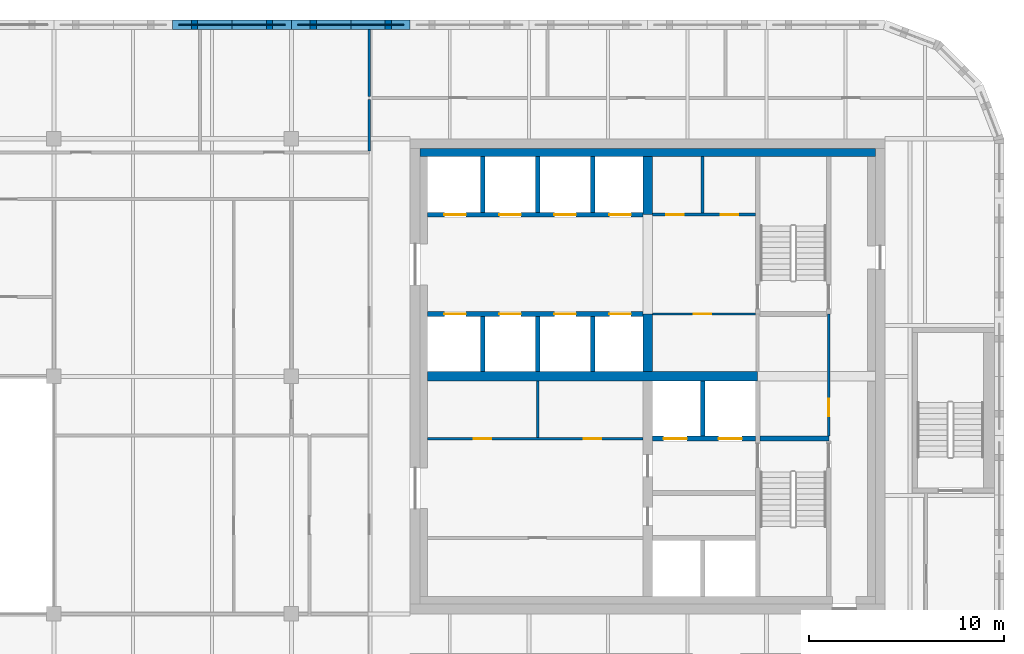
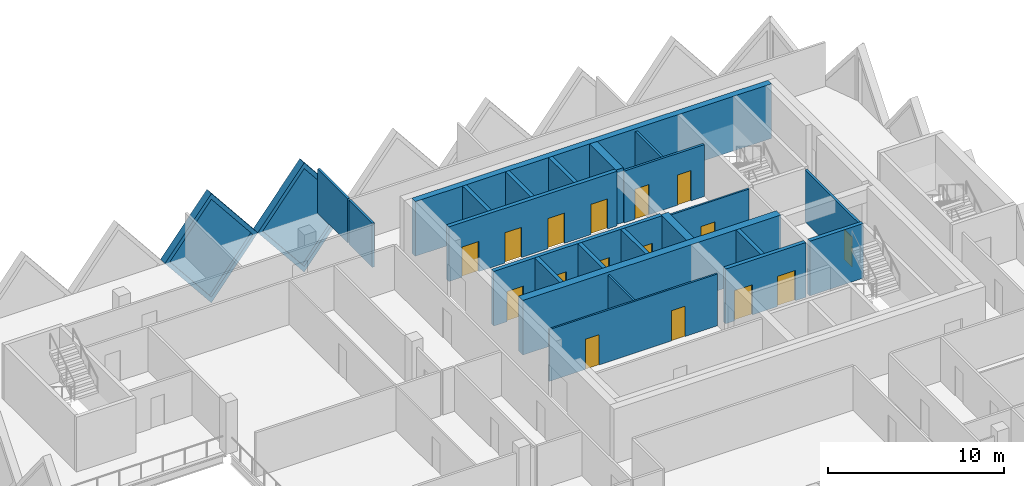
# One storey, part 8 of 11: 25 walls, 16 doors, 2 plates, 18 openings.
"""IFC4 building model written with IfcOpenShell, lengths in metres."""

from ifc_helpers import new_model, si_unit, direction, frame, frame_2d, origin, place, context, subcontext, project, spatial, polyline, rectangle, outline, extrude, faceted_brep, source, transform, mapped, material, layer, layer_set, type_object, element, fill, save


model = new_model("IFC4")

# Units and contexts
model_context = context("Model", 3, precision=1e-05, world=origin(), true_north=direction((0.0, 1.0)))
body_context = subcontext(model_context, "Body", "Model", "MODEL_VIEW")
ifc_project = project(units=[si_unit("LENGTHUNIT", "METRE"), si_unit("AREAUNIT", "SQUARE_METRE"), si_unit("VOLUMEUNIT", "CUBIC_METRE"), si_unit("PLANEANGLEUNIT", "RADIAN"), si_unit("MASSUNIT", "GRAM", prefix="KILO")], contexts=[model_context])

# Site, building, storey
site_placement = place(None, origin())
site = spatial("IfcSite", under=ifc_project, at=site_placement, CompositionType="ELEMENT")
building_placement = place(site_placement, origin())
building = spatial("IfcBuilding", under=site, at=building_placement, Name="Tessera Gate Towers", CompositionType="ELEMENT")
storey_placement = place(building_placement, frame((0.0, 0.0, 201.699951171875)))
storey = spatial("IfcBuildingStorey", under=building, at=storey_placement, Name="L50", CompositionType="ELEMENT", Elevation=201.699951171875)

# Wall, openings, doors
ifc_material_1 = material(Name="Concrete C40/50", Category="concrete")
ifc_layer_1 = layer(ifc_material_1, 0.25)
ifc_layer_set_1 = layer_set([ifc_layer_1], Name="CORE ENCLOSURE WALL 250")
wall_type_1 = type_object("IfcWallType", Name="CORE ENCLOSURE WALL 250", PredefinedType="SOLIDWALL", material=ifc_layer_set_1)
wall_1_placement = place(storey_placement, frame((31.39990234375, 39.800048828125, 0.0), z_axis=(0.0, 0.0, 1.0), x_axis=(1.0, 0.0, 0.0)))
wall_1 = element("IfcWall", 1, at=wall_1_placement, inside=storey, type_object=wall_type_1, Name="L50 shaft and stair enclosure wall", PredefinedType="SOLIDWALL", context=body_context, shape_type="SweptSolid", body=[
    extrude(rectangle(XDim=11.050048828125, YDim=0.25, at=frame_2d((5.52490234375, 0.0))), origin(), (0.0, 0.0, 1.0), 3.800048828125),
])
shared_shape_1 = source(origin(), body_context, "Body", "SweptSolid", [
    extrude(rectangle(XDim=1.10009765625, YDim=2.10009765625, at=frame_2d((0.550048828125, 1.050048828125))), frame((0.0, 0.135009765625, 0.0), z_axis=(0.0, -1.0, 0.0), x_axis=(1.0, 0.0, 0.0)), (0.0, 0.0, 1.0), 0.27001953125),
])
opening_1_placement = place(wall_1_placement, frame((0.862548828125, 0.0, 0.0)))
opening_1 = element("IfcOpeningElement", 2, at=opening_1_placement, cuts=wall_1, Name="Opening LD-HR1", PredefinedType="OPENING", context=body_context, shape_type="MappedRepresentation", body=[
    mapped(shared_shape_1, transform((0.0, 0.0, 0.0), scale=1.0)),
])
opening_2_placement = place(wall_1_placement, frame((3.6875, 0.0, 0.0)))
opening_2 = element("IfcOpeningElement", 3, at=opening_2_placement, cuts=wall_1, Name="Opening LD-HR2", PredefinedType="OPENING", context=body_context, shape_type="MappedRepresentation", body=[
    mapped(shared_shape_1, transform((0.0, 0.0, 0.0), scale=1.0)),
])
opening_3_placement = place(wall_1_placement, frame((6.512451171875, 0.0, 0.0)))
opening_3 = element("IfcOpeningElement", 4, at=opening_3_placement, cuts=wall_1, Name="Opening LD-HR3", PredefinedType="OPENING", context=body_context, shape_type="MappedRepresentation", body=[
    mapped(shared_shape_1, transform((0.0, 0.0, 0.0), scale=1.0)),
])
opening_4_placement = place(wall_1_placement, frame((9.33740234375, 0.0, 0.0)))
opening_4 = element("IfcOpeningElement", 5, at=opening_4_placement, cuts=wall_1, Name="Opening LD-HR4", PredefinedType="OPENING", context=body_context, shape_type="MappedRepresentation", body=[
    mapped(shared_shape_1, transform((0.0, 0.0, 0.0), scale=1.0)),
])
ifc_material_2 = material(Name="Stainless steel", Category="steel")
door_type_1 = type_object("IfcDoorType", Name="CORE DOOR LD 1100x2100", OperationType="DOUBLE_DOOR_SLIDING", PredefinedType="DOOR", material=ifc_material_2)
shared_shape_2 = source(origin(), body_context, "Body", "SweptSolid", [
    extrude(rectangle(XDim=1.10009765625, YDim=2.10009765625, at=frame_2d((0.550048828125, 1.050048828125))), frame((0.0, 0.02490234375, 0.0), z_axis=(0.0, -1.0, 0.0), x_axis=(1.0, 0.0, 0.0)), (0.0, 0.0, 1.0), 0.050048828125),
])
door_1_placement = place(opening_1_placement, origin())
door_1 = element("IfcDoor", 6, at=door_1_placement, inside=storey, type_object=door_type_1, Name="Landing door HR1 L50", OperationType="DOUBLE_DOOR_SLIDING", OverallHeight=2.10009765625, OverallWidth=1.10009765625, PredefinedType="DOOR", context=body_context, shape_type="MappedRepresentation", body=[
    mapped(shared_shape_2, transform((0.0, 0.0, 0.0), scale=1.0)),
])
fill(opening_1, door_1)
door_2_placement = place(opening_2_placement, origin())
door_2 = element("IfcDoor", 7, at=door_2_placement, inside=storey, type_object=door_type_1, Name="Landing door HR2 L50", OperationType="DOUBLE_DOOR_SLIDING", OverallHeight=2.10009765625, OverallWidth=1.10009765625, PredefinedType="DOOR", context=body_context, shape_type="MappedRepresentation", body=[
    mapped(shared_shape_2, transform((0.0, 0.0, 0.0), scale=1.0)),
])
fill(opening_2, door_2)
door_3_placement = place(opening_3_placement, origin())
door_3 = element("IfcDoor", 8, at=door_3_placement, inside=storey, type_object=door_type_1, Name="Landing door HR3 L50", OperationType="DOUBLE_DOOR_SLIDING", OverallHeight=2.10009765625, OverallWidth=1.10009765625, PredefinedType="DOOR", context=body_context, shape_type="MappedRepresentation", body=[
    mapped(shared_shape_2, transform((0.0, 0.0, 0.0), scale=1.0)),
])
fill(opening_3, door_3)
door_4_placement = place(opening_4_placement, origin())
door_4 = element("IfcDoor", 9, at=door_4_placement, inside=storey, type_object=door_type_1, Name="Landing door HR4 L50", OperationType="DOUBLE_DOOR_SLIDING", OverallHeight=2.10009765625, OverallWidth=1.10009765625, PredefinedType="DOOR", context=body_context, shape_type="MappedRepresentation", body=[
    mapped(shared_shape_2, transform((0.0, 0.0, 0.0), scale=1.0)),
])
fill(opening_4, door_4)

wall_2_placement = place(storey_placement, frame((42.449951171875, 44.89990234375, 0.0), z_axis=(0.0, 0.0, 1.0), x_axis=(-1.0, 0.0, 0.0)))
wall_2 = element("IfcWall", 10, at=wall_2_placement, inside=storey, type_object=wall_type_1, Name="L50 shaft and stair enclosure wall", PredefinedType="SOLIDWALL", context=body_context, shape_type="SweptSolid", body=[
    extrude(rectangle(XDim=11.050048828125, YDim=0.25, at=frame_2d((5.52490234375, 0.0))), origin(), (0.0, 0.0, 1.0), 3.800048828125),
])
opening_5_placement = place(wall_2_placement, frame((9.08740234375, 0.0, 0.0)))
opening_5 = element("IfcOpeningElement", 11, at=opening_5_placement, cuts=wall_2, Name="Opening LD-HR5", PredefinedType="OPENING", context=body_context, shape_type="MappedRepresentation", body=[
    mapped(shared_shape_1, transform((0.0, 0.0, 0.0), scale=1.0)),
])
opening_6_placement = place(wall_2_placement, frame((6.262451171875, 0.0, 0.0)))
opening_6 = element("IfcOpeningElement", 12, at=opening_6_placement, cuts=wall_2, Name="Opening LD-HR6", PredefinedType="OPENING", context=body_context, shape_type="MappedRepresentation", body=[
    mapped(shared_shape_1, transform((0.0, 0.0, 0.0), scale=1.0)),
])
opening_7_placement = place(wall_2_placement, frame((3.4375, 0.0, 0.0)))
opening_7 = element("IfcOpeningElement", 13, at=opening_7_placement, cuts=wall_2, Name="Opening LD-HR7", PredefinedType="OPENING", context=body_context, shape_type="MappedRepresentation", body=[
    mapped(shared_shape_1, transform((0.0, 0.0, 0.0), scale=1.0)),
])
opening_8_placement = place(wall_2_placement, frame((0.612548828125, 0.0, 0.0)))
opening_8 = element("IfcOpeningElement", 14, at=opening_8_placement, cuts=wall_2, Name="Opening LD-HR8", PredefinedType="OPENING", context=body_context, shape_type="MappedRepresentation", body=[
    mapped(shared_shape_1, transform((0.0, 0.0, 0.0), scale=1.0)),
])
door_5_placement = place(opening_5_placement, origin())
door_5 = element("IfcDoor", 15, at=door_5_placement, inside=storey, type_object=door_type_1, Name="Landing door HR5 L50", OperationType="DOUBLE_DOOR_SLIDING", OverallHeight=2.10009765625, OverallWidth=1.10009765625, PredefinedType="DOOR", context=body_context, shape_type="MappedRepresentation", body=[
    mapped(shared_shape_2, transform((0.0, 0.0, 0.0), scale=1.0)),
])
fill(opening_5, door_5)
door_6_placement = place(opening_6_placement, origin())
door_6 = element("IfcDoor", 16, at=door_6_placement, inside=storey, type_object=door_type_1, Name="Landing door HR6 L50", OperationType="DOUBLE_DOOR_SLIDING", OverallHeight=2.10009765625, OverallWidth=1.10009765625, PredefinedType="DOOR", context=body_context, shape_type="MappedRepresentation", body=[
    mapped(shared_shape_2, transform((0.0, 0.0, 0.0), scale=1.0)),
])
fill(opening_6, door_6)
door_7_placement = place(opening_7_placement, origin())
door_7 = element("IfcDoor", 17, at=door_7_placement, inside=storey, type_object=door_type_1, Name="Landing door HR7 L50", OperationType="DOUBLE_DOOR_SLIDING", OverallHeight=2.10009765625, OverallWidth=1.10009765625, PredefinedType="DOOR", context=body_context, shape_type="MappedRepresentation", body=[
    mapped(shared_shape_2, transform((0.0, 0.0, 0.0), scale=1.0)),
])
fill(opening_7, door_7)
door_8_placement = place(opening_8_placement, origin())
door_8 = element("IfcDoor", 18, at=door_8_placement, inside=storey, type_object=door_type_1, Name="Landing door HR8 L50", OperationType="DOUBLE_DOOR_SLIDING", OverallHeight=2.10009765625, OverallWidth=1.10009765625, PredefinedType="DOOR", context=body_context, shape_type="MappedRepresentation", body=[
    mapped(shared_shape_2, transform((0.0, 0.0, 0.0), scale=1.0)),
])
fill(opening_8, door_8)

wall_3_placement = place(storey_placement, frame((48.22509765625, 33.39990234375, 0.0), z_axis=(0.0, 0.0, 1.0), x_axis=(-1.0, 0.0, 0.0)))
wall_3 = element("IfcWall", 19, at=wall_3_placement, inside=storey, type_object=wall_type_1, Name="L50 shaft and stair enclosure wall", PredefinedType="SOLIDWALL", context=body_context, shape_type="SweptSolid", body=[
    extrude(rectangle(XDim=5.275146484375, YDim=0.25, at=frame_2d((2.6376953125, 0.0))), origin(), (0.0, 0.0, 1.0), 3.800048828125),
])
shared_shape_3 = source(origin(), body_context, "Body", "SweptSolid", [
    extrude(rectangle(XDim=1.199951171875, YDim=2.10009765625, at=frame_2d((0.60009765625, 1.050048828125))), frame((0.0, 0.135009765625, 0.0), z_axis=(0.0, -1.0, 0.0), x_axis=(1.0, 0.0, 0.0)), (0.0, 0.0, 1.0), 0.27001953125),
])
opening_9_placement = place(wall_3_placement, frame((3.512451171875, 0.0, 0.0)))
opening_9 = element("IfcOpeningElement", 20, at=opening_9_placement, cuts=wall_3, Name="Opening LD-FF1", PredefinedType="OPENING", context=body_context, shape_type="MappedRepresentation", body=[
    mapped(shared_shape_3, transform((0.0, 0.0, 0.0), scale=1.0)),
])
opening_10_placement = place(wall_3_placement, frame((0.6875, 0.0, 0.0)))
opening_10 = element("IfcOpeningElement", 21, at=opening_10_placement, cuts=wall_3, Name="Opening LD-FF2", PredefinedType="OPENING", context=body_context, shape_type="MappedRepresentation", body=[
    mapped(shared_shape_3, transform((0.0, 0.0, 0.0), scale=1.0)),
])
ifc_material_3 = material(Name="Stainless steel", Category="steel")
door_type_2 = type_object("IfcDoorType", Name="CORE DOOR LD1200 1200x2100", OperationType="DOUBLE_DOOR_SLIDING", PredefinedType="DOOR", material=ifc_material_3)
shared_shape_4 = source(origin(), body_context, "Body", "SweptSolid", [
    extrude(rectangle(XDim=1.199951171875, YDim=2.10009765625, at=frame_2d((0.60009765625, 1.050048828125))), frame((0.0, 0.02490234375, 0.0), z_axis=(0.0, -1.0, 0.0), x_axis=(1.0, 0.0, 0.0)), (0.0, 0.0, 1.0), 0.050048828125),
])
door_9_placement = place(opening_9_placement, origin())
door_9 = element("IfcDoor", 22, at=door_9_placement, inside=storey, type_object=door_type_2, Name="Landing door FF1 L50", OperationType="DOUBLE_DOOR_SLIDING", OverallHeight=2.10009765625, OverallWidth=1.199951171875, PredefinedType="DOOR", context=body_context, shape_type="MappedRepresentation", body=[
    mapped(shared_shape_4, transform((0.0, 0.0, 0.0), scale=1.0)),
])
fill(opening_9, door_9)
door_10_placement = place(opening_10_placement, origin())
door_10 = element("IfcDoor", 23, at=door_10_placement, inside=storey, type_object=door_type_2, Name="Landing door FF2 L50", OperationType="DOUBLE_DOOR_SLIDING", OverallHeight=2.10009765625, OverallWidth=1.199951171875, PredefinedType="DOOR", context=body_context, shape_type="MappedRepresentation", body=[
    mapped(shared_shape_4, transform((0.0, 0.0, 0.0), scale=1.0)),
])
fill(opening_10, door_10)

# Walls
wall_4_placement = place(storey_placement, frame((48.47509765625, 33.39990234375, 0.0), z_axis=(0.0, 0.0, 1.0), x_axis=(1.0, 0.0, 0.0)))
element("IfcWall", 24, at=wall_4_placement, inside=storey, type_object=wall_type_1, Name="L50 shaft and stair enclosure wall", PredefinedType="SOLIDWALL", context=body_context, shape_type="SweptSolid", body=[
    extrude(rectangle(XDim=3.52490234375, YDim=0.25, at=frame_2d((1.762451171875, 0.0))), origin(), (0.0, 0.0, 1.0), 3.800048828125),
])
for number, where, z_axis, x_axis, name in (
    (25, (34.22509765625, 36.85009765625, 0.0), (0.0, 0.0, 1.0), (0.0, 1.0, 0.0), "L50 shaft and stair enclosure wall"),
    (26, (37.050048828125, 36.85009765625, 0.0), (0.0, 0.0, 1.0), (0.0, 1.0, 0.0), "L50 shaft and stair enclosure wall"),
    (27, (39.875, 36.85009765625, 0.0), (0.0, 0.0, 1.0), (0.0, 1.0, 0.0), "L50 shaft and stair enclosure wall"),
):
    element("IfcWall", number, at=place(storey_placement, frame(where, z_axis=z_axis, x_axis=x_axis)), inside=storey, type_object=wall_type_1, Name=name, PredefinedType="SOLIDWALL", context=body_context, shape_type="SweptSolid", body=[
        extrude(rectangle(XDim=2.824951171875, YDim=0.25, at=frame_2d((1.41259765625, 0.0))), origin(), (0.0, 0.0, 1.0), 3.800048828125),
    ])
wall_5_placement = place(storey_placement, frame((45.52490234375, 33.52490234375, 0.0), z_axis=(0.0, 0.0, 1.0), x_axis=(0.0, 1.0, 0.0)))
element("IfcWall", 28, at=wall_5_placement, inside=storey, type_object=wall_type_1, Name="L50 shaft and stair enclosure wall", PredefinedType="SOLIDWALL", context=body_context, shape_type="SweptSolid", body=[
    extrude(rectangle(XDim=2.8251953125, YDim=0.25, at=frame_2d((1.41259765625, 0.0))), origin(), (0.0, 0.0, 1.0), 3.800048828125),
])
for number, where, z_axis, x_axis, name in (
    (29, (34.22509765625, 45.02490234375, 0.0), (0.0, 0.0, 1.0), (0.0, 1.0, 0.0), "L50 shaft and stair enclosure wall"),
    (30, (37.050048828125, 45.02490234375, 0.0), (0.0, 0.0, 1.0), (0.0, 1.0, 0.0), "L50 shaft and stair enclosure wall"),
    (31, (39.875, 45.02490234375, 0.0), (0.0, 0.0, 1.0), (0.0, 1.0, 0.0), "L50 shaft and stair enclosure wall"),
):
    element("IfcWall", number, at=place(storey_placement, frame(where, z_axis=z_axis, x_axis=x_axis)), inside=storey, type_object=wall_type_1, Name=name, PredefinedType="SOLIDWALL", context=body_context, shape_type="SweptSolid", body=[
        extrude(rectangle(XDim=2.875, YDim=0.25, at=frame_2d((1.4375, 0.0))), origin(), (0.0, 0.0, 1.0), 3.800048828125),
    ])

# Wall, openings, doors
ifc_material_4 = material(Name="Gypsum board on steel studs", Category="steel")
ifc_layer_2 = layer(ifc_material_4, 0.1201171875)
ifc_layer_set_2 = layer_set([ifc_layer_2], Name="CORE PARTITION 120")
wall_type_2 = type_object("IfcWallType", Name="CORE PARTITION 120", PredefinedType="PARTITIONING", material=ifc_layer_set_2)
wall_6_placement = place(storey_placement, frame((31.39990234375, 33.39990234375, 0.0), z_axis=(0.0, 0.0, 1.0), x_axis=(1.0, 0.0, 0.0)))
wall_6 = element("IfcWall", 32, at=wall_6_placement, inside=storey, type_object=wall_type_2, Name="L50 core partition", PredefinedType="PARTITIONING", context=body_context, shape_type="SweptSolid", body=[
    extrude(rectangle(XDim=11.050048828125, YDim=0.1201171875, at=frame_2d((5.52490234375, 0.0))), origin(), (0.0, 0.0, 1.0), 3.60009765625),
])
shared_shape_5 = source(origin(), body_context, "Body", "SweptSolid", [
    extrude(rectangle(XDim=0.89990234375, YDim=2.10009765625, at=frame_2d((0.449951171875, 1.050048828125))), frame((0.0, 0.070068359375, 0.0), z_axis=(0.0, -1.0, 0.0), x_axis=(1.0, 0.0, 0.0)), (0.0, 0.0, 1.0), 0.14013671875),
])
opening_11_placement = place(wall_6_placement, frame((2.375, 0.0, 0.0)))
opening_11 = element("IfcOpeningElement", 33, at=opening_11_placement, cuts=wall_6, Name="Opening RD-T1-31-08", PredefinedType="OPENING", context=body_context, shape_type="MappedRepresentation", body=[
    mapped(shared_shape_5, transform((0.0, 0.0, 0.0), scale=1.0)),
])
opening_12_placement = place(wall_6_placement, frame((8.02490234375, 0.0, 0.0)))
opening_12 = element("IfcOpeningElement", 34, at=opening_12_placement, cuts=wall_6, Name="Opening RD-T1-31-09", PredefinedType="OPENING", context=body_context, shape_type="MappedRepresentation", body=[
    mapped(shared_shape_5, transform((0.0, 0.0, 0.0), scale=1.0)),
])
ifc_material_5 = material(Name="Hollow steel fire door", Category="steel")
door_type_3 = type_object("IfcDoorType", Name="CORE DOOR RD 900x2100", OperationType="NOTDEFINED", PredefinedType="DOOR", material=ifc_material_5)
shared_shape_6 = source(origin(), body_context, "Body", "SweptSolid", [
    extrude(rectangle(XDim=0.89990234375, YDim=2.10009765625, at=frame_2d((0.449951171875, 1.050048828125))), frame((0.0, 0.02490234375, 0.0), z_axis=(0.0, -1.0, 0.0), x_axis=(1.0, 0.0, 0.0)), (0.0, 0.0, 1.0), 0.050048828125),
])
door_11_placement = place(opening_11_placement, origin())
door_11 = element("IfcDoor", 35, at=door_11_placement, inside=storey, type_object=door_type_3, Name="Core room door", OperationType="SINGLE_SWING_LEFT", OverallHeight=2.10009765625, OverallWidth=0.89990234375, PredefinedType="DOOR", context=body_context, shape_type="MappedRepresentation", body=[
    mapped(shared_shape_6, transform((0.0, 0.0, 0.0), scale=1.0)),
])
fill(opening_11, door_11)
door_12_placement = place(opening_12_placement, origin())
door_12 = element("IfcDoor", 36, at=door_12_placement, inside=storey, type_object=door_type_3, Name="Core room door", OperationType="SINGLE_SWING_RIGHT", OverallHeight=2.10009765625, OverallWidth=0.89990234375, PredefinedType="DOOR", context=body_context, shape_type="MappedRepresentation", body=[
    mapped(shared_shape_6, transform((0.0, 0.0, 0.0), scale=1.0)),
])
fill(opening_12, door_12)

# Wall, opening, door
wall_7_placement = place(storey_placement, frame((48.22509765625, 39.800048828125, 0.0), z_axis=(0.0, 0.0, 1.0), x_axis=(-1.0, 0.0, 0.0)))
wall_7 = element("IfcWall", 37, at=wall_7_placement, inside=storey, type_object=wall_type_2, Name="L50 core partition", PredefinedType="PARTITIONING", context=body_context, shape_type="SweptSolid", body=[
    extrude(rectangle(XDim=5.275146484375, YDim=0.1201171875, at=frame_2d((2.6376953125, 0.0))), origin(), (0.0, 0.0, 1.0), 3.60009765625),
])
opening_13_placement = place(wall_7_placement, frame((2.25, 0.0, 0.0)))
opening_13 = element("IfcOpeningElement", 38, at=opening_13_placement, cuts=wall_7, Name="Opening RD-T1-31-11", PredefinedType="OPENING", context=body_context, shape_type="MappedRepresentation", body=[
    mapped(shared_shape_5, transform((0.0, 0.0, 0.0), scale=1.0)),
])
door_13_placement = place(opening_13_placement, origin())
door_13 = element("IfcDoor", 39, at=door_13_placement, inside=storey, type_object=door_type_3, Name="Core room door", OperationType="SINGLE_SWING_RIGHT", OverallHeight=2.10009765625, OverallWidth=0.89990234375, PredefinedType="DOOR", context=body_context, shape_type="MappedRepresentation", body=[
    mapped(shared_shape_6, transform((0.0, 0.0, 0.0), scale=1.0)),
])
fill(opening_13, door_13)

# Walls
wall_8_placement = place(storey_placement, frame((37.050048828125, 33.4599609375, 0.0), z_axis=(0.0, 0.0, 1.0), x_axis=(0.0, 1.0, 0.0)))
element("IfcWall", 40, at=wall_8_placement, inside=storey, type_object=wall_type_2, Name="L50 core partition", PredefinedType="PARTITIONING", context=body_context, shape_type="SweptSolid", body=[
    extrude(rectangle(XDim=2.89013671875, YDim=0.1201171875, at=frame_2d((1.445068359375, 0.0))), origin(), (0.0, 0.0, 1.0), 3.60009765625),
])
ifc_material_6 = material(Name="Concrete C50/60", Category="concrete")
ifc_layer_3 = layer(ifc_material_6, 0.5)
ifc_layer_set_3 = layer_set([ifc_layer_3], Name="CORE SPINE WALL 500 C50/60")
wall_type_3 = type_object("IfcWallType", Name="CORE SPINE WALL 500 C50/60", PredefinedType="SHEAR", material=ifc_layer_set_3)
wall_9_placement = place(storey_placement, frame((31.39990234375, 36.60009765625, 0.0), z_axis=(0.0, 0.0, 1.0), x_axis=(1.0, 0.0, 0.0)))
element("IfcWall", 41, at=wall_9_placement, inside=storey, type_object=wall_type_3, Name="Core wall spine L50", PredefinedType="SHEAR", context=body_context, shape_type="SweptSolid", body=[
    extrude(rectangle(XDim=16.9501953125, YDim=0.5, at=frame_2d((8.47509765625, 0.0))), origin(), (0.0, 0.0, 1.0), 3.800048828125),
])
wall_10_placement = place(storey_placement, frame((42.699951171875, 36.85009765625, 0.0), z_axis=(0.0, 0.0, 1.0), x_axis=(0.0, 1.0, 0.0)))
element("IfcWall", 42, at=wall_10_placement, inside=storey, type_object=wall_type_3, Name="Core wall spine L50", PredefinedType="SHEAR", context=body_context, shape_type="SweptSolid", body=[
    extrude(rectangle(XDim=2.949951171875, YDim=0.5, at=frame_2d((1.47509765625, 0.0))), origin(), (0.0, 0.0, 1.0), 3.800048828125),
])
wall_11_placement = place(storey_placement, frame((42.699951171875, 44.89990234375, 0.0), z_axis=(0.0, 0.0, 1.0), x_axis=(0.0, 1.0, 0.0)))
element("IfcWall", 43, at=wall_11_placement, inside=storey, type_object=wall_type_3, Name="Core wall spine L50", PredefinedType="SHEAR", context=body_context, shape_type="SweptSolid", body=[
    extrude(rectangle(XDim=3.0, YDim=0.5, at=frame_2d((1.5, 0.0))), origin(), (0.0, 0.0, 1.0), 3.800048828125),
])
ifc_material_7 = material(Name="Concrete C50/60", Category="concrete")
ifc_layer_4 = layer(ifc_material_7, 0.39990234375)
ifc_layer_set_4 = layer_set([ifc_layer_4], Name="CORE WALL THICKENING 400")
wall_type_4 = type_object("IfcWallType", Name="CORE WALL THICKENING 400", PredefinedType="SOLIDWALL", material=ifc_layer_set_4)
wall_12_placement = place(storey_placement, frame((31.0, 48.10009765625, 0.0), z_axis=(0.0, 0.0, 1.0), x_axis=(1.0, 0.0, 0.0)))
element("IfcWall", 44, at=wall_12_placement, inside=storey, type_object=wall_type_4, Name="Core wall thickening N L50", PredefinedType="SOLIDWALL", context=body_context, shape_type="SweptSolid", body=[
    extrude(rectangle(XDim=23.39990234375, YDim=0.39990234375, at=frame_2d((11.699951171875, 0.0))), origin(), (0.0, 0.0, 1.0), 3.800048828125),
])
ifc_material_8 = material(Name="Gypsum board on steel studs, mineral wool", Category="steel")
ifc_layer_5 = layer(ifc_material_8, 0.14990234375)
ifc_layer_set_5 = layer_set([ifc_layer_5], Name="CORRIDOR WALL 150")
wall_type_5 = type_object("IfcWallType", Name="CORRIDOR WALL 150", PredefinedType="PARTITIONING", material=ifc_layer_set_5)
wall_13_placement = place(storey_placement, frame((28.39990234375, 48.176025390625, 0.0), z_axis=(0.0, 0.0, 1.0), x_axis=(0.0, 1.0, 0.0)))
element("IfcWall", 45, at=wall_13_placement, inside=storey, type_object=wall_type_5, Name="T1-L50-PW-046", PredefinedType="PARTITIONING", context=body_context, shape_type="SweptSolid", body=[
    extrude(rectangle(XDim=2.64794921875, YDim=0.14990234375, at=frame_2d((1.323974609375, 0.0))), origin(), (0.0, 0.0, 1.0), 3.067138671875),
])

# Wall, opening, door
ifc_material_9 = material(Name="Gypsum board on steel studs", Category="steel")
ifc_layer_6 = layer(ifc_material_9, 0.14990234375)
ifc_layer_set_6 = layer_set([ifc_layer_6], Name="SERVICE ROOM WALL 150")
wall_type_6 = type_object("IfcWallType", Name="SERVICE ROOM WALL 150", PredefinedType="PARTITIONING", material=ifc_layer_set_6)
wall_14_placement = place(storey_placement, frame((52.0, 33.52490234375, 0.0), z_axis=(0.0, 0.0, 1.0), x_axis=(0.0, 1.0, 0.0)))
wall_14 = element("IfcWall", 46, at=wall_14_placement, inside=storey, type_object=wall_type_6, Name="L50 service room wall", PredefinedType="PARTITIONING", context=body_context, shape_type="SweptSolid", body=[
    extrude(rectangle(XDim=6.275146484375, YDim=0.14990234375, at=frame_2d((3.1376953125, 0.0))), origin(), (0.0, 0.0, 1.0), 3.60009765625),
])
shared_shape_7 = source(origin(), body_context, "Body", "SweptSolid", [
    extrude(rectangle(XDim=0.89990234375, YDim=2.10009765625, at=frame_2d((0.449951171875, 1.050048828125))), frame((0.0, 0.0849609375, 0.0), z_axis=(0.0, -1.0, 0.0), x_axis=(1.0, 0.0, 0.0)), (0.0, 0.0, 1.0), 0.169921875),
])
opening_14_placement = place(wall_14_placement, frame((1.02490234375, 0.0, 0.0)))
opening_14 = element("IfcOpeningElement", 47, at=opening_14_placement, cuts=wall_14, Name="Opening RD-T1-31-10", PredefinedType="OPENING", context=body_context, shape_type="MappedRepresentation", body=[
    mapped(shared_shape_7, transform((0.0, 0.0, 0.0), scale=1.0)),
])
door_14_placement = place(opening_14_placement, origin())
door_14 = element("IfcDoor", 48, at=door_14_placement, inside=storey, type_object=door_type_3, Name="Core room door", OperationType="SINGLE_SWING_LEFT", OverallHeight=2.10009765625, OverallWidth=0.89990234375, PredefinedType="DOOR", context=body_context, shape_type="MappedRepresentation", body=[
    mapped(shared_shape_6, transform((0.0, 0.0, 0.0), scale=1.0)),
])
fill(opening_14, door_14)

# Wall, openings, doors
wall_15_placement = place(storey_placement, frame((42.949951171875, 44.89990234375, 0.0), z_axis=(0.0, 0.0, 1.0), x_axis=(1.0, 0.0, 0.0)))
wall_15 = element("IfcWall", 49, at=wall_15_placement, inside=storey, type_object=wall_type_6, Name="L50 service room wall", PredefinedType="PARTITIONING", context=body_context, shape_type="SweptSolid", body=[
    extrude(rectangle(XDim=5.275146484375, YDim=0.14990234375, at=frame_2d((2.6376953125, 0.0))), origin(), (0.0, 0.0, 1.0), 3.60009765625),
])
opening_15_placement = place(wall_15_placement, frame((0.71240234375, 0.0, 0.0)))
opening_15 = element("IfcOpeningElement", 50, at=opening_15_placement, cuts=wall_15, Name="Opening RD-T1-31-12", PredefinedType="OPENING", context=body_context, shape_type="MappedRepresentation", body=[
    mapped(shared_shape_7, transform((0.0, 0.0, 0.0), scale=1.0)),
])
opening_16_placement = place(wall_15_placement, frame((3.5, 0.0, 0.0)))
opening_16 = element("IfcOpeningElement", 51, at=opening_16_placement, cuts=wall_15, Name="Opening RD-T1-31-13", PredefinedType="OPENING", context=body_context, shape_type="MappedRepresentation", body=[
    mapped(shared_shape_7, transform((0.0, 0.0, 0.0), scale=1.0)),
])
door_15_placement = place(opening_15_placement, origin())
door_15 = element("IfcDoor", 52, at=door_15_placement, inside=storey, type_object=door_type_3, Name="Core room door", OperationType="SINGLE_SWING_LEFT", OverallHeight=2.10009765625, OverallWidth=0.89990234375, PredefinedType="DOOR", context=body_context, shape_type="MappedRepresentation", body=[
    mapped(shared_shape_6, transform((0.0, 0.0, 0.0), scale=1.0)),
])
fill(opening_15, door_15)
door_16_placement = place(opening_16_placement, origin())
door_16 = element("IfcDoor", 53, at=door_16_placement, inside=storey, type_object=door_type_3, Name="Core room door", OperationType="SINGLE_SWING_RIGHT", OverallHeight=2.10009765625, OverallWidth=0.89990234375, PredefinedType="DOOR", context=body_context, shape_type="MappedRepresentation", body=[
    mapped(shared_shape_6, transform((0.0, 0.0, 0.0), scale=1.0)),
])
fill(opening_16, door_16)

# Walls
wall_16_placement = place(storey_placement, frame((45.52490234375, 44.97509765625, 0.0), z_axis=(0.0, 0.0, 1.0), x_axis=(0.0, 1.0, 0.0)))
element("IfcWall", 54, at=wall_16_placement, inside=storey, type_object=wall_type_6, Name="L50 service room wall", PredefinedType="PARTITIONING", context=body_context, shape_type="SweptSolid", body=[
    extrude(rectangle(XDim=2.9248046875, YDim=0.14990234375, at=frame_2d((1.46240234375, 0.0))), origin(), (0.0, 0.0, 1.0), 3.60009765625),
])
ifc_material_10 = material(Name="Gypsum board on steel studs, mineral wool", Category="steel")
ifc_layer_7 = layer(ifc_material_10, 0.14990234375)
ifc_layer_set_7 = layer_set([ifc_layer_7], Name="TENANCY WALL 150")
wall_type_7 = type_object("IfcWallType", Name="TENANCY WALL 150", PredefinedType="PARTITIONING", material=ifc_layer_set_7)
wall_17_placement = place(storey_placement, frame((28.39990234375, 50.97607421875, 0.0), z_axis=(0.0, 0.0, 1.0), x_axis=(0.0, 1.0, 0.0)))
element("IfcWall", 55, at=wall_17_placement, inside=storey, type_object=wall_type_7, Name="T1-L50-PW-048", PredefinedType="PARTITIONING", context=body_context, shape_type="SweptSolid", body=[
    extrude(rectangle(XDim=3.423828125, YDim=0.14990234375, at=frame_2d((1.7119140625, 0.0))), origin(), (0.0, 0.0, 1.0), 3.067138671875),
])

# Wall, opening, plate
ifc_material_11 = material(Name="Precast concrete C60/75 white", Category="concrete")
ifc_layer_8 = layer(ifc_material_11, 0.5)
ifc_layer_set_8 = layer_set([ifc_layer_8], Name="TS1 tessera")
wall_type_8 = type_object("IfcWallType", Name="TS1 tessera", PredefinedType="SOLIDWALL", material=ifc_layer_set_8)
shared_shape_8 = source(origin(), body_context, "Body", "Brep", [
    faceted_brep([(3.050048828125, -0.25, 0.0), (6.099853515625, -0.25, 3.7998046875), (6.099853515625, -0.25, 3.80029296875), (3.050048828125, -0.25, 7.60009765625), (0.0, -0.25, 3.800048828125), (0.0, 0.25, 3.800048828125), (3.050048828125, 0.25, 7.60009765625), (6.099853515625, 0.25, 3.80029296875), (6.099853515625, 0.25, 3.7998046875), (3.050048828125, 0.25, 0.0)], [[[0, 1, 2, 3, 4]], [[5, 6, 7, 8, 9]], [[9, 8, 1, 0]], [[7, 6, 3, 2]], [[6, 5, 4, 3]], [[5, 9, 0, 4]], [[1, 8, 7, 2]]]),
])
wall_18_placement = place(storey_placement, frame((24.39990234375, 54.64990234375, -3.800048828125), z_axis=(0.0, 0.0, 1.0), x_axis=(-1.0, 0.0, 0.0)))
wall_18 = element("IfcWall", 56, at=wall_18_placement, inside=storey, type_object=wall_type_8, Name="Precast tessera T1 TS1-0866", PredefinedType="SOLIDWALL", context=body_context, shape_type="MappedRepresentation", body=[
    mapped(shared_shape_8, transform((0.0, 0.0, 0.0), scale=1.0)),
])
shared_shape_9 = source(origin(), body_context, "Body", "SweptSolid", [
    extrude(outline(polyline([(3.050048828125, 0.3994140625), (5.779541015625, 3.800048828125), (3.050048828125, 7.20068359375), (0.320556640625, 3.800048828125), (3.050048828125, 0.3994140625)])), frame((0.0, 0.260009765625, 0.0), z_axis=(0.0, -1.0, 0.0), x_axis=(1.0, 0.0, 0.0)), (0.0, 0.0, 1.0), 0.52001953125),
])
opening_17_placement = place(wall_18_placement, origin())
opening_17 = element("IfcOpeningElement", 57, at=opening_17_placement, cuts=wall_18, Name="Opening T1-PL2-1762", PredefinedType="OPENING", context=body_context, shape_type="MappedRepresentation", body=[
    mapped(shared_shape_9, transform((0.0, 0.0, 0.0), scale=1.0)),
])
ifc_material_12 = material(Name="Low-e laminated glass", Category="glass")
ifc_layer_9 = layer(ifc_material_12, 0.06005859375)
ifc_layer_set_9 = layer_set([ifc_layer_9], Name="PL2 rhombic pane")
plate_type = type_object("IfcPlateType", Name="PL2 rhombic pane", PredefinedType="SHEET", material=ifc_layer_set_9)
shared_shape_10 = source(origin(), body_context, "Body", "SweptSolid", [
    extrude(outline(polyline([(3.050048828125, 0.3994140625), (5.779541015625, 3.800048828125), (3.050048828125, 7.20068359375), (0.320556640625, 3.800048828125), (3.050048828125, 0.3994140625)])), frame((0.0, 0.030029296875, 0.0), z_axis=(0.0, -1.0, 0.0), x_axis=(1.0, 0.0, 0.0)), (0.0, 0.0, 1.0), 0.06005859375),
])
plate_1_placement = place(opening_17_placement, origin())
plate_1 = element("IfcPlate", 58, at=plate_1_placement, inside=storey, type_object=plate_type, Name="Glass pane T1 PL2-1762", PredefinedType="SHEET", context=body_context, shape_type="MappedRepresentation", body=[
    mapped(shared_shape_10, transform((0.0, 0.0, 0.0), scale=1.0)),
])
fill(opening_17, plate_1)

shared_shape_11 = source(origin(), body_context, "Body", "SweptSolid", [
    extrude(outline(polyline([(3.050048828125, 0.0), (6.10009765625, 3.800048828125), (3.050048828125, 7.60009765625), (0.0, 3.800048828125), (3.050048828125, 0.0)])), frame((0.0, 0.25, 0.0), z_axis=(0.0, -1.0, 0.0), x_axis=(1.0, 0.0, 0.0)), (0.0, 0.0, 1.0), 0.5),
])
wall_19_placement = place(storey_placement, frame((30.5, 54.64990234375, -3.800048828125), z_axis=(0.0, 0.0, 1.0), x_axis=(-1.0, 0.0, 0.0)))
wall_19 = element("IfcWall", 59, at=wall_19_placement, inside=storey, type_object=wall_type_8, Name="Precast tessera T1 TS1-0865", PredefinedType="SOLIDWALL", context=body_context, shape_type="MappedRepresentation", body=[
    mapped(shared_shape_11, transform((0.0, 0.0, 0.0), scale=1.0)),
])
opening_18_placement = place(wall_19_placement, origin())
opening_18 = element("IfcOpeningElement", 60, at=opening_18_placement, cuts=wall_19, Name="Opening T1-PL2-1761", PredefinedType="OPENING", context=body_context, shape_type="MappedRepresentation", body=[
    mapped(shared_shape_9, transform((0.0, 0.0, 0.0), scale=1.0)),
])
plate_2_placement = place(opening_18_placement, origin())
plate_2 = element("IfcPlate", 61, at=plate_2_placement, inside=storey, type_object=plate_type, Name="Glass pane T1 PL2-1761", PredefinedType="SHEET", context=body_context, shape_type="MappedRepresentation", body=[
    mapped(shared_shape_10, transform((0.0, 0.0, 0.0), scale=1.0)),
])
fill(opening_18, plate_2)

save(model, "model.ifc")
